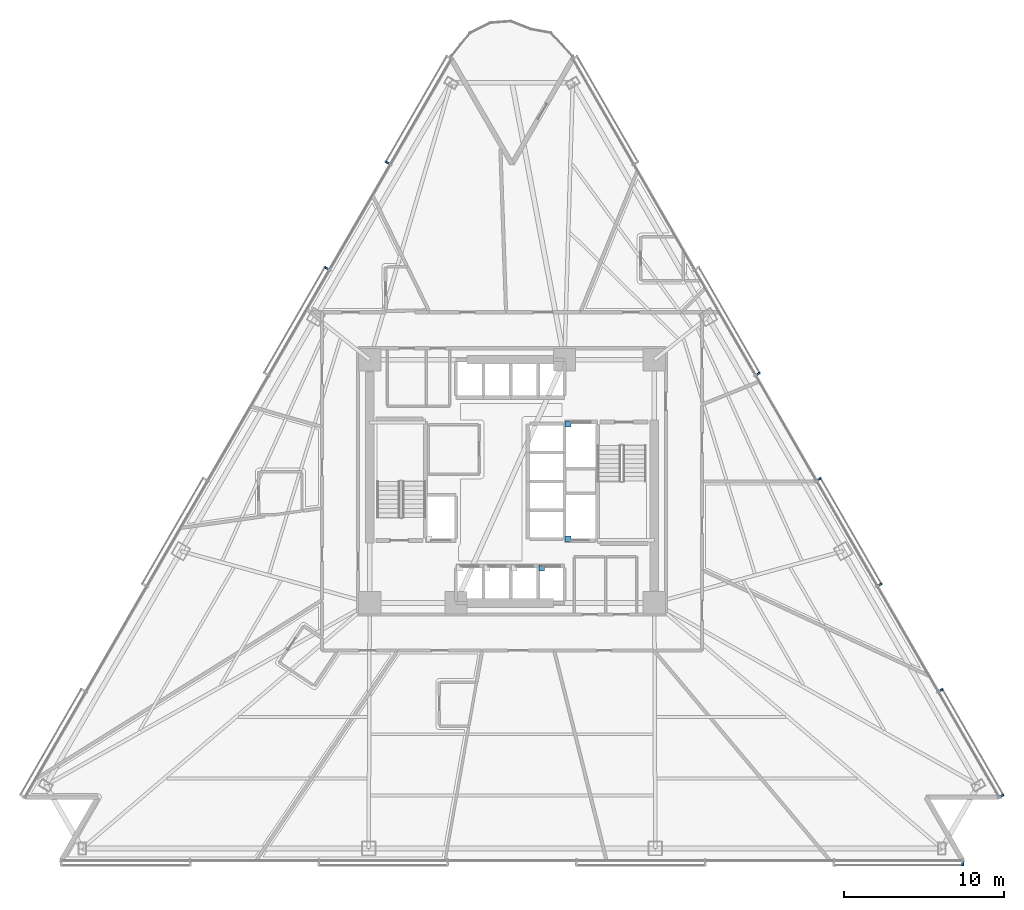
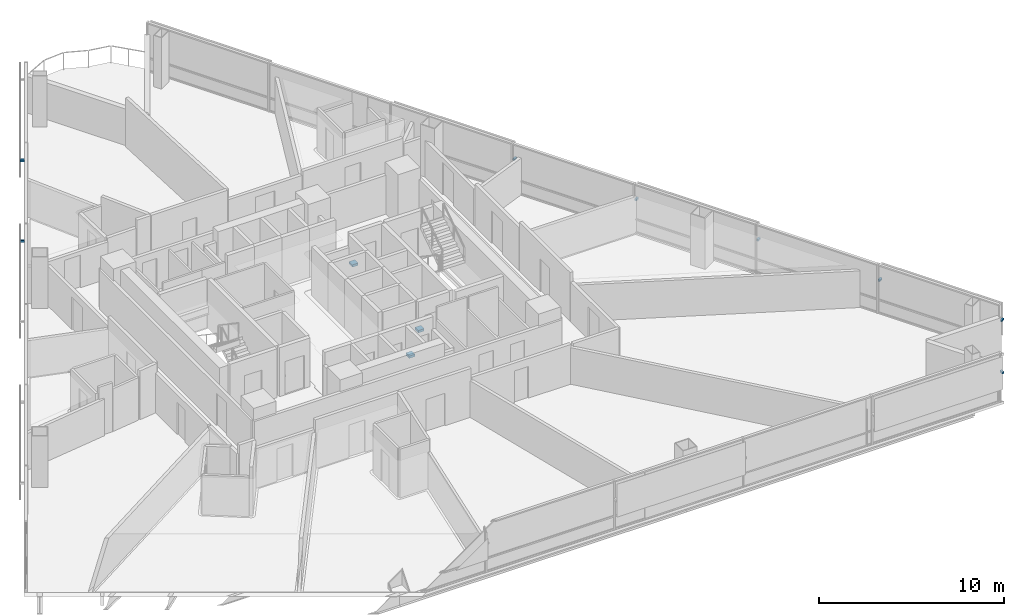
# One storey, part 12 of 16: 11 discrete accessories.
"""IFC4 building model written with IfcOpenShell, lengths in metres."""

from ifc_helpers import new_model, si_unit, direction, frame, origin, origin_2d, place, context, subcontext, project, spatial, rectangle, extrude, material, type_object, element, save


model = new_model("IFC4")

# Units and contexts
model_context = context("Model", 3, precision=1e-05, world=origin(), true_north=direction((0.0, 1.0)))
body_context = subcontext(model_context, "Body", "Model", "MODEL_VIEW")
ifc_project = project(units=[si_unit("LENGTHUNIT", "METRE"), si_unit("AREAUNIT", "SQUARE_METRE"), si_unit("VOLUMEUNIT", "CUBIC_METRE"), si_unit("PLANEANGLEUNIT", "RADIAN"), si_unit("MASSUNIT", "GRAM", prefix="KILO")], contexts=[model_context])

# Site, building, storey
site_placement = place(None, origin())
site = spatial("IfcSite", under=ifc_project, at=site_placement, CompositionType="ELEMENT")
building_placement = place(site_placement, origin())
building = spatial("IfcBuilding", under=site, at=building_placement, Name="Tharavind Bronze Gate", CompositionType="ELEMENT")
storey_placement = place(building_placement, frame((0.0, 0.0, 42.050048828125)))
storey = spatial("IfcBuildingStorey", under=building, at=storey_placement, Name="L09", CompositionType="ELEMENT", Elevation=42.050048828125)

# Discrete accessories
ifc_material_1 = material(Name="Galvanised Steel S355", Category="steel")
discrete_accessory_type_1 = type_object("IfcDiscreteAccessoryType", Name="LIFT GUIDE RAIL BRACKET", PredefinedType="BRACKET", material=ifc_material_1)
for number, where, z_axis, x_axis, name in (
    (1, (1.857421875, -5.419921875, 1.1201171875), (0.0, 0.0, 1.0), (1.0, 0.0, 0.0), "Lift PL4 guide rail bracket at L09"),
    (2, (3.5, 3.580078125, 1.1201171875), (0.0, 0.0, 1.0), (1.0, 0.0, 0.0), "Lift FFL2 guide rail bracket at L09"),
    (3, (3.5, -3.580078125, 1.1201171875), (0.0, 0.0, 1.0), (1.0, 0.0, 0.0), "Lift SVL1 guide rail bracket at L09"),
):
    element("IfcDiscreteAccessory", number, at=place(storey_placement, frame(where, z_axis=z_axis, x_axis=x_axis)), inside=storey, type_object=discrete_accessory_type_1, Name=name, PredefinedType="BRACKET", context=body_context, shape_type="SweptSolid", body=[
        extrude(rectangle(XDim=0.360107421875, YDim=0.360107421875, at=origin_2d()), origin(), (0.0, 0.0, 1.0), 0.159912109375),
    ])
ifc_material_2 = material(Name="Stainless Steel 316", Category="steel")
discrete_accessory_type_2 = type_object("IfcDiscreteAccessoryType", Name="SOLAR SCREEN STANDOFF BRACKET", PredefinedType="BRACKET", material=ifc_material_2)
for number, where, z_axis, x_axis, name in (
    (4, (-7.78125, 19.922607421875, 2.00244140625), (0.0, 0.0, 1.0), (-0.500001511499, -0.866024531118, 0.0), "CW-L09-S1 solar screen bracket 1.2"),
    (5, (-11.589111328125, 13.326904296875, 2.00244140625), (0.0, 0.0, 1.0), (-0.500001511499, -0.866024531118, 0.0), "CW-L09-S1 solar screen bracket 3.1"),
    (6, (28.17578125, -23.89990234375, 2.00244140625), (0.0, 0.0, 1.0), (1.0, 0.0, 0.0), "CW-L09-S2 solar screen bracket 7.2"),
    (7, (30.62890625, -19.65087890625, 2.00244140625), (0.0, 0.0, 1.0), (-0.500001511499, 0.866024531118, 0.0), "CW-L09-S3 solar screen bracket 1.1"),
    (8, (26.821044921875, -13.055419921875, 2.00244140625), (0.0, 0.0, 1.0), (-0.500001511499, 0.866024531118, 0.0), "CW-L09-S3 solar screen bracket 1.2"),
    (9, (23.01318359375, -6.459716796875, 2.00244140625), (0.0, 0.0, 1.0), (-0.500001511499, 0.866024531118, 0.0), "CW-L09-S3 solar screen bracket 3.1"),
    (10, (19.205078125, 0.135986328125, 2.00244140625), (0.0, 0.0, 1.0), (-0.500001511499, 0.866024531118, 0.0), "CW-L09-S3 solar screen bracket 3.2"),
    (11, (15.397216796875, 6.7314453125, 2.00244140625), (0.0, 0.0, 1.0), (-0.500001511499, 0.866024531118, 0.0), "CW-L09-S3 solar screen bracket 5.1"),
):
    element("IfcDiscreteAccessory", number, at=place(storey_placement, frame(where, z_axis=z_axis, x_axis=x_axis)), inside=storey, type_object=discrete_accessory_type_2, Name=name, PredefinedType="BRACKET", context=body_context, shape_type="SweptSolid", body=[
        extrude(rectangle(XDim=0.1201171875, YDim=0.239990234375, at=origin_2d()), origin(), (0.0, 0.0, 1.0), 0.1201171875),
    ])

save(model, "model.ifc")
